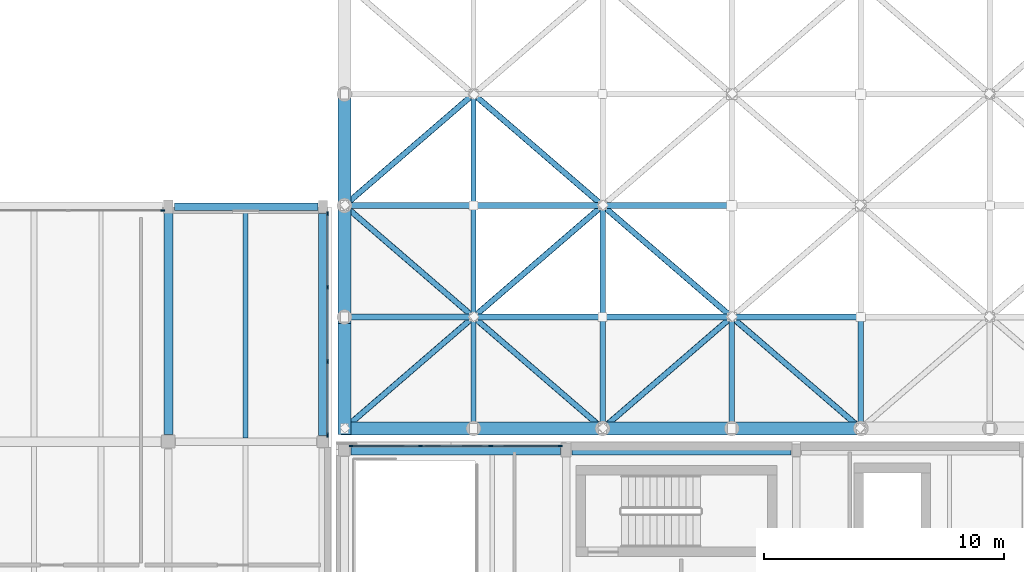
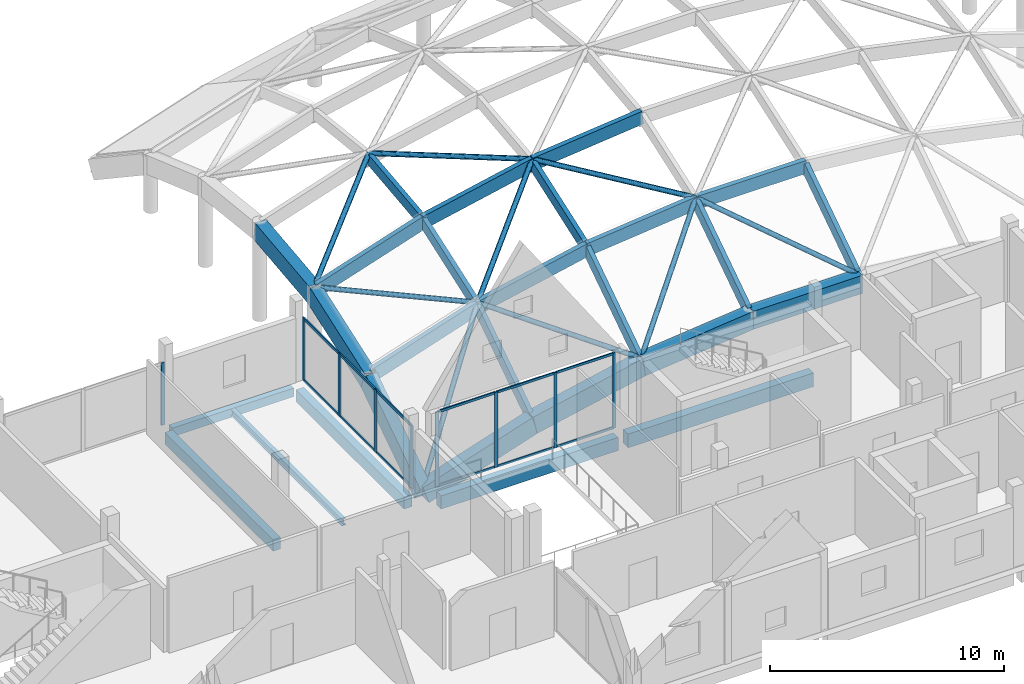
# One storey, part 8 of 41: 44 members, 13 beams, 3 elements without a shape of their own.
"""IFC4 building model written with IfcOpenShell, lengths in metres."""

import ifcopenshell
import ifcopenshell.guid

model = None  # the IFC model being written
_history = None  # IfcOwnerHistory: only IFC2X3 demands one
_inside = {}  # id of a spatial element -> (the spatial element, [elements in it])
_under = {}  # id of a project, library or spatial element -> (it, [spatial elements below it])
_declared = {}  # id of a project -> (the project, [libraries it declares])
_typed = {}  # id of a type object -> (the type object, [elements of that type])
_made_of = {}  # id of a material, layer set ... -> (it, [elements and type objects made of it])


def new_model(schema):
    """Start an empty IFC model of exactly this schema.

    Asked for "IFC4X3", IfcOpenShell would pick the latest addendum, in which some entities
    have other attributes; the version numbers below select the first issue.
    IFC2X3 requires an IfcOwnerHistory on every rooted entity: one is made here for all.
    """
    global model, _history
    if schema == "IFC4X3":
        model = ifcopenshell.file(schema_version=(4, 3, 0, 0))
    else:
        model = ifcopenshell.file(schema=schema)
    _inside.clear()
    _under.clear()
    _declared.clear()
    _typed.clear()
    _made_of.clear()
    _history = None
    if model.schema == "IFC2X3":
        org = make("IfcOrganization", Name="unknown")
        user = make(
            "IfcPersonAndOrganization",
            ThePerson=make("IfcPerson", FamilyName="unknown"),
            TheOrganization=org,
        )
        app = make(
            "IfcApplication",
            ApplicationDeveloper=org,
            Version="unknown",
            ApplicationFullName="unknown",
            ApplicationIdentifier="unknown",
        )
        _history = make(
            "IfcOwnerHistory",
            OwningUser=user,
            OwningApplication=app,
            ChangeAction="ADDED",
            CreationDate=0,
        )
    return model


def make(cls, **values):
    """One entity of the class cls with the attributes given. An attribute that is None is left unset."""
    return model.create_entity(
        cls, **{name: value for name, value in values.items() if value is not None}
    )


def rooted(cls, **values):
    """An entity with a GlobalId (a new one), such as an element, a storey or a relation."""
    return make(cls, GlobalId=ifcopenshell.guid.new(), OwnerHistory=_history, **values)


def si_unit(unit_type, name, prefix=None):
    """IfcSIUnit, for example si_unit("LENGTHUNIT", "METRE", prefix="MILLI")."""
    return make("IfcSIUnit", UnitType=unit_type, Prefix=prefix, Name=name)


def assignment(units):
    """IfcUnitAssignment: the units of a project."""
    return None if units is None else make("IfcUnitAssignment", Units=units)


def point(xyz):
    """IfcCartesianPoint."""
    return None if xyz is None else make("IfcCartesianPoint", Coordinates=xyz)


def direction(xyz):
    """IfcDirection."""
    return None if xyz is None else make("IfcDirection", DirectionRatios=xyz)


def frame(location, z_axis=None, x_axis=None):
    """IfcAxis2Placement3D, a coordinate frame: its origin and axes. An axis left out is left unset."""
    return make(
        "IfcAxis2Placement3D",
        Location=point(location),
        Axis=direction(z_axis),
        RefDirection=direction(x_axis),
    )


def frame_2d(location, x_axis=None):
    """IfcAxis2Placement2D, a coordinate frame in the plane: its origin and x axis."""
    return make(
        "IfcAxis2Placement2D", Location=point(location), RefDirection=direction(x_axis)
    )


def origin():
    """The frame at (0, 0, 0) with its axes left unset."""
    return frame((0.0, 0.0, 0.0))


def origin_2d():
    """The frame at (0, 0) in the plane with its x axis left unset."""
    return frame_2d((0.0, 0.0))


def place(relative_to, where):
    """IfcLocalPlacement: puts the frame where relative to a parent placement (None: the world)."""
    return make(
        "IfcLocalPlacement", PlacementRelTo=relative_to, RelativePlacement=where
    )


def context(
    kind, dimensions, precision=None, world=None, true_north=None, identifier=None
):
    """IfcGeometricRepresentationContext, for example the 3D "Model" context."""
    return make(
        "IfcGeometricRepresentationContext",
        ContextIdentifier=identifier,
        ContextType=kind,
        CoordinateSpaceDimension=dimensions,
        Precision=precision,
        WorldCoordinateSystem=world,
        TrueNorth=true_north,
    )


def subcontext(parent, identifier, kind, view, scale=None):
    """IfcGeometricRepresentationSubContext, for example "Body" below "Model"."""
    return make(
        "IfcGeometricRepresentationSubContext",
        ContextIdentifier=identifier,
        ContextType=kind,
        ParentContext=parent,
        TargetScale=scale,
        TargetView=view,
    )


def project(units=None, contexts=None):
    """IfcProject with its units and contexts."""
    return rooted(
        "IfcProject",
        Name="project",
        RepresentationContexts=contexts,
        UnitsInContext=assignment(units),
    )


def spatial(cls, under=None, at=None, **own):
    """A site, building, storey or space (cls), placed at a placement, below another one or the project."""
    s = rooted(cls, ObjectPlacement=at, **own)
    if under is not None:
        _under.setdefault(under.id(), (under, []))[1].append(s)
    return s


def profile(cls, at=None, kind="AREA", **sizes):
    """A parametric profile (cls). Its sizes go by their IFC names, for example OverallWidth=200.0."""
    return make(cls, ProfileType=kind, Position=at, **sizes)


def rectangle(**sizes):
    """IfcRectangleProfileDef."""
    return profile("IfcRectangleProfileDef", **sizes)


def hollow_circle(**sizes):
    """IfcCircleHollowProfileDef."""
    return profile("IfcCircleHollowProfileDef", **sizes)


def i_section(**sizes):
    """IfcIShapeProfileDef."""
    return profile("IfcIShapeProfileDef", **sizes)


def extrude(swept, where, along, depth):
    """IfcExtrudedAreaSolid: the profile swept, set in the frame where, extruded along a direction by depth."""
    return make(
        "IfcExtrudedAreaSolid",
        SweptArea=swept,
        Position=where,
        ExtrudedDirection=direction(along),
        Depth=depth,
    )


def shape(context_of_items, identifier, shape_type, items):
    """IfcShapeRepresentation: the items that make up one representation, for example the "Body"."""
    return make(
        "IfcShapeRepresentation",
        ContextOfItems=context_of_items,
        RepresentationIdentifier=identifier,
        RepresentationType=shape_type,
        Items=items,
    )


def material(Name=None, Category=None):
    """IfcMaterial."""
    return make("IfcMaterial", Name=Name, Category=Category)


def layer(
    of_material, thickness, ventilated=None, Name=None, Category=None, Priority=None
):
    """IfcMaterialLayer: one layer of a wall or slab, of a material (None: an air gap)."""
    return make(
        "IfcMaterialLayer",
        Material=of_material,
        LayerThickness=thickness,
        IsVentilated=ventilated,
        Name=Name,
        Category=Category,
        Priority=Priority,
    )


def layer_set(layers, Name=None):
    """IfcMaterialLayerSet."""
    return make("IfcMaterialLayerSet", MaterialLayers=layers, LayerSetName=Name)


def material_profile(
    of_material, cross_section, Name=None, Category=None, Priority=None
):
    """IfcMaterialProfile: a cross section and its material."""
    return make(
        "IfcMaterialProfile",
        Name=Name,
        Material=of_material,
        Profile=cross_section,
        Priority=Priority,
        Category=Category,
    )


def profile_set(profiles, Name=None, composite=None):
    """IfcMaterialProfileSet."""
    return make(
        "IfcMaterialProfileSet",
        Name=Name,
        MaterialProfiles=profiles,
        CompositeProfile=composite,
    )


def made_of(thing, what):
    """Note that an element or type object is made of a material, layer set ...; save() writes the relation."""
    if what is not None:
        _made_of.setdefault(what.id(), (what, []))[1].append(thing)
    return thing


def type_object(cls, material=None, **own):
    """A type object (cls), such as IfcWallType, which elements share."""
    return made_of(rooted(cls, **own), material)


def element(
    cls,
    number,
    at=None,
    inside=None,
    cuts=None,
    type_object=None,
    material=None,
    context=None,
    identifier="Body",
    shape_type=None,
    held_by="IfcProductDefinitionShape",
    body=None,
    shapes=None,
    **own,
):
    """One element of the class cls, such as IfcWall. Its Tag is "e" and its number.

    at: its placement. inside: the storey or other place that contains it. cuts: it is an
    opening in that element (IfcRelVoidsElement). A single representation is given by context,
    identifier, shape_type and body (its items); several are given by shapes. held_by: the class
    of the entity that holds the representations. save() writes the other relations.
    """
    e = rooted(cls, Tag="e%d" % number, ObjectPlacement=at, **own)
    if body is not None:
        shapes = [shape(context, identifier, shape_type, body)]
    if shapes is not None:
        e.Representation = make(held_by, Representations=shapes)
    if inside is not None:
        _inside.setdefault(inside.id(), (inside, []))[1].append(e)
    if cuts is not None:
        rooted(
            "IfcRelVoidsElement", RelatingBuildingElement=cuts, RelatedOpeningElement=e
        )
    if type_object is not None:
        _typed.setdefault(type_object.id(), (type_object, []))[1].append(e)
    return made_of(e, material)


def aggregate(whole, parts):
    """IfcRelAggregates: a whole, such as a stair, and the parts it consists of."""
    return rooted("IfcRelAggregates", RelatingObject=whole, RelatedObjects=parts)


def save(model, path):
    """Write the relations noted so far, then the file.

    IfcRelAggregates (storeys below a building ...), IfcRelContainedInSpatialStructure (elements
    in a storey), IfcRelDefinesByType, IfcRelAssociatesMaterial and IfcRelDeclares: one each for
    every whole, place, type object, material and project.
    """
    for whole, parts in _under.values():
        aggregate(whole, parts)
    for where, things in _inside.values():
        rooted(
            "IfcRelContainedInSpatialStructure",
            RelatedElements=things,
            RelatingStructure=where,
        )
    for kind, things in _typed.values():
        rooted("IfcRelDefinesByType", RelatedObjects=things, RelatingType=kind)
    for what, things in _made_of.values():
        rooted("IfcRelAssociatesMaterial", RelatedObjects=things, RelatingMaterial=what)
    for by, libraries in _declared.values():
        rooted("IfcRelDeclares", RelatingContext=by, RelatedDefinitions=libraries)
    model.write(path)


model = new_model("IFC4")

# Units and contexts
model_context = context("Model", 3, precision=1e-05, world=origin(), true_north=direction((0.0, 1.0)))
body_context = subcontext(model_context, "Body", "Model", "MODEL_VIEW")
ifc_project = project(units=[si_unit("LENGTHUNIT", "METRE"), si_unit("AREAUNIT", "SQUARE_METRE"), si_unit("VOLUMEUNIT", "CUBIC_METRE"), si_unit("PLANEANGLEUNIT", "RADIAN"), si_unit("MASSUNIT", "GRAM", prefix="KILO")], contexts=[model_context])

# Site, building, storey
site_placement = place(None, origin())
site = spatial("IfcSite", under=ifc_project, at=site_placement, CompositionType="ELEMENT")
building_placement = place(site_placement, origin())
building = spatial("IfcBuilding", under=site, at=building_placement, Name="Birchvale Park Specialist Clinic", CompositionType="ELEMENT")
storey_placement = place(building_placement, frame((0.0, 0.0, 9.60009765625)))
storey = spatial("IfcBuildingStorey", under=building, at=storey_placement, Name="L02", CompositionType="ELEMENT", Elevation=9.60009765625)

# Beams
ifc_material_1 = material(Name="Concrete C40/50", Category="concrete")
ifc_material_profile_1 = material_profile(ifc_material_1, rectangle(XDim=0.419921875, YDim=0.719970703125, at=origin_2d()), Name="RCB-420x720")
ifc_profile_set_1 = profile_set([ifc_material_profile_1], Name="Concrete C40/50")
beam_type_1 = type_object("IfcBeamType", Name="BM-EXT-BG3", PredefinedType="BEAM", material=ifc_profile_set_1)
beam_1_placement = place(storey_placement, frame((61.639892578125, 34.25, -0.64013671875), z_axis=(1.0, 0.0, 0.0), x_axis=(0.0, 1.0, 0.0)))
element("IfcBeam", 1, at=beam_1_placement, inside=storey, type_object=beam_type_1, Name="V4 L02 X girder 15", PredefinedType="BEAM", context=body_context, shape_type="SweptSolid", body=[
    extrude(rectangle(XDim=0.419921875, YDim=0.719970703125, at=origin_2d()), origin(), (0.0, 0.0, 1.0), 9.150146484375),
])
ifc_material_profile_2 = material_profile(ifc_material_1, rectangle(XDim=0.39990234375, YDim=0.68994140625, at=origin_2d()), Name="RCB-400x690")
ifc_profile_set_2 = profile_set([ifc_material_profile_2], Name="Concrete C40/50")
beam_type_2 = type_object("IfcBeamType", Name="BM-EXT-BG4", PredefinedType="BEAM", material=ifc_profile_set_2)
beam_2_placement = place(storey_placement, frame((52.4150390625, 34.25, -0.625), z_axis=(1.0, 0.0, 0.0), x_axis=(0.0, 1.0, 0.0)))
element("IfcBeam", 2, at=beam_2_placement, inside=storey, type_object=beam_type_2, Name="V4 L02 X girder 14", PredefinedType="BEAM", context=body_context, shape_type="SweptSolid", body=[
    extrude(rectangle(XDim=0.39990234375, YDim=0.68994140625, at=origin_2d()), origin(), (0.0, 0.0, 1.0), 8.744873046875),
])
ifc_material_profile_3 = material_profile(ifc_material_1, rectangle(XDim=0.3798828125, YDim=0.639892578125, at=origin_2d()), Name="RCB-380x640")
ifc_profile_set_3 = profile_set([ifc_material_profile_3], Name="Concrete C40/50")
beam_type_3 = type_object("IfcBeamType", Name="BM-EXT-BG5", PredefinedType="BEAM", material=ifc_profile_set_3)
beam_3_placement = place(storey_placement, frame((51.25, 34.864990234375, -0.670166015625), z_axis=(0.0, 1.0, 0.0), x_axis=(-1.0, 0.0, 0.0)))
element("IfcBeam", 3, at=beam_3_placement, inside=storey, type_object=beam_type_3, Name="V2 L02 Y girder 37", PredefinedType="BEAM", context=body_context, shape_type="SweptSolid", body=[
    extrude(rectangle(XDim=0.3798828125, YDim=0.639892578125, at=origin_2d()), origin(), (0.0, 0.0, 1.0), 9.2451171875),
])
ifc_material_profile_4 = material_profile(ifc_material_1, rectangle(XDim=0.550048828125, YDim=0.93994140625, at=origin_2d()), Name="RCB-550x940")
ifc_profile_set_4 = profile_set([ifc_material_profile_4], Name="Concrete C40/50")
beam_type_4 = type_object("IfcBeamType", Name="BM-EXT-RB1", PredefinedType="BEAM", material=ifc_profile_set_4)
beam_4_placement = place(storey_placement, frame((52.14990234375, 35.14990234375, -0.650146484375), z_axis=(0.950354284012, 0.0, 0.311169945304), x_axis=(0.0, 1.0, 0.0)))
element("IfcBeam", 4, at=beam_4_placement, inside=storey, type_object=beam_type_4, Name="V1 gridshell perimeter ring beam 1", PredefinedType="BEAM", context=body_context, shape_type="SweptSolid", body=[
    extrude(rectangle(XDim=0.550048828125, YDim=0.93994140625, at=origin_2d()), origin(), (0.0, 0.0, 1.0), 5.6669921875),
])
beam_5_placement = place(storey_placement, frame((57.53564453125, 35.14990234375, 1.11328125), z_axis=(0.978246670793, 0.0, 0.207445055574), x_axis=(0.0, 1.0, 0.0)))
element("IfcBeam", 5, at=beam_5_placement, inside=storey, type_object=beam_type_4, Name="V1 gridshell perimeter ring beam 2", PredefinedType="BEAM", context=body_context, shape_type="SweptSolid", body=[
    extrude(rectangle(XDim=0.550048828125, YDim=0.93994140625, at=origin_2d()), origin(), (0.0, 0.0, 1.0), 5.505615234375),
])
beam_6_placement = place(storey_placement, frame((62.92138671875, 35.14990234375, 2.25537109375), z_axis=(0.994608725176, 0.0, 0.103699005798), x_axis=(0.0, 1.0, 0.0)))
element("IfcBeam", 6, at=beam_6_placement, inside=storey, type_object=beam_type_4, Name="V1 gridshell perimeter ring beam 3", PredefinedType="BEAM", context=body_context, shape_type="SweptSolid", body=[
    extrude(rectangle(XDim=0.550048828125, YDim=0.93994140625, at=origin_2d()), origin(), (0.0, 0.0, 1.0), 5.4150390625),
])
beam_7_placement = place(storey_placement, frame((68.30712890625, 35.14990234375, 2.81689453125), z_axis=(1.0, 0.0, 0.0), x_axis=(0.0, 1.0, 0.0)))
element("IfcBeam", 7, at=beam_7_placement, inside=storey, type_object=beam_type_4, Name="V1 gridshell perimeter ring beam 4", PredefinedType="BEAM", context=body_context, shape_type="SweptSolid", body=[
    extrude(rectangle(XDim=0.550048828125, YDim=0.93994140625, at=origin_2d()), origin(), (0.0, 0.0, 1.0), 5.3857421875),
])
beam_8_placement = place(storey_placement, frame((52.14990234375, 35.14990234375, -0.650146484375), z_axis=(0.0, 0.831626868314, 0.555334810631), x_axis=(-1.0, 0.0, 0.0)))
element("IfcBeam", 8, at=beam_8_placement, inside=storey, type_object=beam_type_4, Name="V1 gridshell perimeter ring beam 15", PredefinedType="BEAM", context=body_context, shape_type="SweptSolid", body=[
    extrude(rectangle(XDim=0.550048828125, YDim=0.93994140625, at=origin_2d()), origin(), (0.0, 0.0, 1.0), 5.591552734375),
])
beam_9_placement = place(storey_placement, frame((52.14990234375, 39.800048828125, 2.455078125), z_axis=(0.0, 0.943085366196, 0.33255073608), x_axis=(-1.0, 0.0, 0.0)))
element("IfcBeam", 9, at=beam_9_placement, inside=storey, type_object=beam_type_4, Name="V1 gridshell perimeter ring beam 16", PredefinedType="BEAM", context=body_context, shape_type="SweptSolid", body=[
    extrude(rectangle(XDim=0.550048828125, YDim=0.93994140625, at=origin_2d()), origin(), (0.0, 0.0, 1.0), 4.930419921875),
])
beam_10_placement = place(storey_placement, frame((52.14990234375, 44.449951171875, 4.0947265625), z_axis=(0.0, 0.993845495823, 0.110775134543), x_axis=(-1.0, 0.0, 0.0)))
element("IfcBeam", 10, at=beam_10_placement, inside=storey, type_object=beam_type_4, Name="V1 gridshell perimeter ring beam 17", PredefinedType="BEAM", context=body_context, shape_type="SweptSolid", body=[
    extrude(rectangle(XDim=0.550048828125, YDim=0.93994140625, at=origin_2d()), origin(), (0.0, 0.0, 1.0), 4.678955078125),
])
ifc_material_profile_5 = material_profile(ifc_material_1, rectangle(XDim=0.3798828125, YDim=0.60009765625, at=origin_2d()), Name="RCB-380x600")
ifc_profile_set_5 = profile_set([ifc_material_profile_5], Name="Concrete C40/50")
beam_type_5 = type_object("IfcBeamType", Name="BM-INT-BG5", PredefinedType="BEAM", material=ifc_profile_set_5)
beam_11_placement = place(storey_placement, frame((44.800048828125, 34.89990234375, -0.650146484375), z_axis=(0.0, 1.0, 0.0), x_axis=(-1.0, 0.0, 0.0)))
element("IfcBeam", 11, at=beam_11_placement, inside=storey, type_object=beam_type_5, Name="V2 L02 Y girder 34", PredefinedType="BEAM", context=body_context, shape_type="SweptSolid", body=[
    extrude(rectangle(XDim=0.3798828125, YDim=0.60009765625, at=origin_2d()), origin(), (0.0, 0.0, 1.0), 9.25),
])
ifc_material_profile_6 = material_profile(ifc_material_1, rectangle(XDim=0.300048828125, YDim=0.449951171875, at=origin_2d()), Name="RCB-300x450")
ifc_profile_set_6 = profile_set([ifc_material_profile_6], Name="Concrete C40/50")
beam_type_6 = type_object("IfcBeamType", Name="BM-INT-BG8", PredefinedType="BEAM", material=ifc_profile_set_6)
beam_12_placement = place(storey_placement, frame((45.050048828125, 44.39990234375, -0.5751953125), z_axis=(1.0, 0.0, 0.0), x_axis=(0.0, 1.0, 0.0)))
element("IfcBeam", 12, at=beam_12_placement, inside=storey, type_object=beam_type_6, Name="V2 L02 X girder 20", PredefinedType="BEAM", context=body_context, shape_type="SweptSolid", body=[
    extrude(rectangle(XDim=0.300048828125, YDim=0.449951171875, at=origin_2d()), origin(), (0.0, 0.0, 1.0), 5.989990234375),
])

# Curtain wall, members
ifc_material_2 = material(Name="Thermally broken anodised aluminium", Category="aluminium")
ifc_layer_1 = layer(ifc_material_2, 0.179931640625)
ifc_layer_set_1 = layer_set([ifc_layer_1], Name="Thermally broken anodised aluminium")
curtain_wall_type_1 = type_object("IfcCurtainWallType", Name="CW-U1", PredefinedType="USERDEFINED", material=ifc_layer_set_1)
curtain_wall_1_placement = place(storey_placement, origin())
curtain_wall_1 = element("IfcCurtainWall", 13, at=curtain_wall_1_placement, inside=storey, type_object=curtain_wall_type_1, Name="V4 L02 glazed curtain wall 111", ObjectType="UNITISED", PredefinedType="USERDEFINED")
ifc_material_profile_7 = material_profile(ifc_material_2, rectangle(XDim=0.06005859375, YDim=0.159912109375, at=origin_2d()), Name="CWM-60x160")
ifc_profile_set_7 = profile_set([ifc_material_profile_7], Name="Thermally broken anodised aluminium")
member_type_1 = type_object("IfcMemberType", Name="CWM1", PredefinedType="MULLION", material=ifc_profile_set_7)
member_1_placement = place(storey_placement, frame((61.159912109375, 34.409912109375, 0.0), z_axis=(0.0, 0.0, 1.0), x_axis=(0.0, -1.0, 0.0)))
member_1 = element("IfcMember", 14, at=member_1_placement, type_object=member_type_1, Name="CW mullion 1", PredefinedType="MULLION", context=body_context, shape_type="SweptSolid", body=[
    extrude(rectangle(XDim=0.06005859375, YDim=0.159912109375, at=origin_2d()), origin(), (0.0, 0.0, 1.0), 3.919921875),
])
member_2_placement = place(storey_placement, frame((58.256591796875, 34.409912109375, 0.0), z_axis=(0.0, 0.0, 1.0), x_axis=(0.0, -1.0, 0.0)))
member_2 = element("IfcMember", 15, at=member_2_placement, type_object=member_type_1, Name="CW mullion 2", PredefinedType="MULLION", context=body_context, shape_type="SweptSolid", body=[
    extrude(rectangle(XDim=0.06005859375, YDim=0.159912109375, at=origin_2d()), origin(), (0.0, 0.0, 1.0), 3.919921875),
])
member_3_placement = place(storey_placement, frame((55.3232421875, 34.409912109375, 0.0), z_axis=(0.0, 0.0, 1.0), x_axis=(0.0, -1.0, 0.0)))
member_3 = element("IfcMember", 16, at=member_3_placement, type_object=member_type_1, Name="CW mullion 3", PredefinedType="MULLION", context=body_context, shape_type="SweptSolid", body=[
    extrude(rectangle(XDim=0.06005859375, YDim=0.159912109375, at=origin_2d()), origin(), (0.0, 0.0, 1.0), 3.919921875),
])
member_4_placement = place(storey_placement, frame((52.419921875, 34.409912109375, 0.0), z_axis=(0.0, 0.0, 1.0), x_axis=(0.0, -1.0, 0.0)))
member_4 = element("IfcMember", 17, at=member_4_placement, type_object=member_type_1, Name="CW mullion 4", PredefinedType="MULLION", context=body_context, shape_type="SweptSolid", body=[
    extrude(rectangle(XDim=0.06005859375, YDim=0.159912109375, at=origin_2d()), origin(), (0.0, 0.0, 1.0), 3.919921875),
])

ifc_layer_2 = layer(ifc_material_2, 0.195068359375)
ifc_layer_set_2 = layer_set([ifc_layer_2], Name="Thermally broken anodised aluminium")
curtain_wall_type_2 = type_object("IfcCurtainWallType", Name="CW-U2", PredefinedType="USERDEFINED", material=ifc_layer_set_2)
curtain_wall_2_placement = place(storey_placement, origin())
curtain_wall_2 = element("IfcCurtainWall", 18, at=curtain_wall_2_placement, inside=storey, type_object=curtain_wall_type_2, Name="V2 L02 glazed curtain wall 104", ObjectType="UNITISED", PredefinedType="USERDEFINED")
ifc_material_profile_8 = material_profile(ifc_material_2, rectangle(XDim=0.06494140625, YDim=0.179931640625, at=origin_2d()), Name="CWM-65x180")
ifc_profile_set_8 = profile_set([ifc_material_profile_8], Name="Thermally broken anodised aluminium")
member_type_2 = type_object("IfcMemberType", Name="CWM2", PredefinedType="MULLION", material=ifc_profile_set_8)
member_5_placement = place(storey_placement, frame((51.445068359375, 34.87255859375, 0.0), z_axis=(0.0, 0.0, 1.0), x_axis=(-1.0, 0.0, 0.0)))
member_5 = element("IfcMember", 19, at=member_5_placement, type_object=member_type_2, Name="CW mullion 1", PredefinedType="MULLION", context=body_context, shape_type="SweptSolid", body=[
    extrude(rectangle(XDim=0.06494140625, YDim=0.179931640625, at=origin_2d()), origin(), (0.0, 0.0, 1.0), 3.27001953125),
])
member_6_placement = place(storey_placement, frame((51.445068359375, 37.93994140625, 0.0), z_axis=(0.0, 0.0, 1.0), x_axis=(-1.0, 0.0, 0.0)))
member_6 = element("IfcMember", 20, at=member_6_placement, type_object=member_type_2, Name="CW mullion 2", PredefinedType="MULLION", context=body_context, shape_type="SweptSolid", body=[
    extrude(rectangle(XDim=0.06494140625, YDim=0.179931640625, at=origin_2d()), origin(), (0.0, 0.0, 1.0), 3.27001953125),
])
member_7_placement = place(storey_placement, frame((51.445068359375, 41.0400390625, 0.0), z_axis=(0.0, 0.0, 1.0), x_axis=(-1.0, 0.0, 0.0)))
member_7 = element("IfcMember", 21, at=member_7_placement, type_object=member_type_2, Name="CW mullion 3", PredefinedType="MULLION", context=body_context, shape_type="SweptSolid", body=[
    extrude(rectangle(XDim=0.06494140625, YDim=0.179931640625, at=origin_2d()), origin(), (0.0, 0.0, 1.0), 3.27001953125),
])
member_8_placement = place(storey_placement, frame((51.445068359375, 44.107421875, 0.0), z_axis=(0.0, 0.0, 1.0), x_axis=(-1.0, 0.0, 0.0)))
member_8 = element("IfcMember", 22, at=member_8_placement, type_object=member_type_2, Name="CW mullion 4", PredefinedType="MULLION", context=body_context, shape_type="SweptSolid", body=[
    extrude(rectangle(XDim=0.06494140625, YDim=0.179931640625, at=origin_2d()), origin(), (0.0, 0.0, 1.0), 3.27001953125),
])

# Curtain wall, member
curtain_wall_3_placement = place(storey_placement, origin())
curtain_wall_3 = element("IfcCurtainWall", 23, at=curtain_wall_3_placement, inside=storey, type_object=curtain_wall_type_2, Name="V2 L02 glazed curtain wall 105", ObjectType="UNITISED", PredefinedType="USERDEFINED")
member_9_placement = place(storey_placement, frame((44.5673828125, 44.2451171875, 0.0), z_axis=(0.0, 0.0, 1.0), x_axis=(0.0, -1.0, 0.0)))
member_9 = element("IfcMember", 24, at=member_9_placement, type_object=member_type_2, Name="CW mullion 1", PredefinedType="MULLION", context=body_context, shape_type="SweptSolid", body=[
    extrude(rectangle(XDim=0.06494140625, YDim=0.179931640625, at=origin_2d()), origin(), (0.0, 0.0, 1.0), 3.260009765625),
])
aggregate(curtain_wall_3, [member_9])

# Member
ifc_material_profile_9 = material_profile(ifc_material_2, rectangle(XDim=0.06005859375, YDim=0.1201171875, at=origin_2d()), Name="CWT-60x120")
ifc_profile_set_9 = profile_set([ifc_material_profile_9], Name="Thermally broken anodised aluminium")
member_type_3 = type_object("IfcMemberType", Name="CWT1", PredefinedType="USERDEFINED", material=ifc_profile_set_9)
member_10_placement = place(storey_placement, frame((61.1298828125, 34.409912109375, 0.02978515625), z_axis=(-1.0, 0.0, 0.0), x_axis=(0.0, -1.0, 0.0)))
member_10 = element("IfcMember", 25, at=member_10_placement, type_object=member_type_3, Name="CW transom 1.1", ObjectType="TRANSOM", PredefinedType="USERDEFINED", context=body_context, shape_type="SweptSolid", body=[
    extrude(rectangle(XDim=0.06005859375, YDim=0.1201171875, at=origin_2d()), origin(), (0.0, 0.0, 1.0), 2.84326171875),
])

member_11_placement = place(storey_placement, frame((61.1298828125, 34.409912109375, 3.889892578125), z_axis=(-1.0, 0.0, 0.0), x_axis=(0.0, -1.0, 0.0)))
member_11 = element("IfcMember", 26, at=member_11_placement, type_object=member_type_3, Name="CW transom 1.2", ObjectType="TRANSOM", PredefinedType="USERDEFINED", context=body_context, shape_type="SweptSolid", body=[
    extrude(rectangle(XDim=0.06005859375, YDim=0.1201171875, at=origin_2d()), origin(), (0.0, 0.0, 1.0), 2.84326171875),
])

member_12_placement = place(storey_placement, frame((58.2265625, 34.409912109375, 0.02978515625), z_axis=(-1.0, 0.0, 0.0), x_axis=(0.0, -1.0, 0.0)))
member_12 = element("IfcMember", 27, at=member_12_placement, type_object=member_type_3, Name="CW transom 2.1", ObjectType="TRANSOM", PredefinedType="USERDEFINED", context=body_context, shape_type="SweptSolid", body=[
    extrude(rectangle(XDim=0.06005859375, YDim=0.1201171875, at=origin_2d()), origin(), (0.0, 0.0, 1.0), 2.873291015625),
])

member_13_placement = place(storey_placement, frame((58.2265625, 34.409912109375, 3.889892578125), z_axis=(-1.0, 0.0, 0.0), x_axis=(0.0, -1.0, 0.0)))
member_13 = element("IfcMember", 28, at=member_13_placement, type_object=member_type_3, Name="CW transom 2.2", ObjectType="TRANSOM", PredefinedType="USERDEFINED", context=body_context, shape_type="SweptSolid", body=[
    extrude(rectangle(XDim=0.06005859375, YDim=0.1201171875, at=origin_2d()), origin(), (0.0, 0.0, 1.0), 2.873291015625),
])

member_14_placement = place(storey_placement, frame((55.293212890625, 34.409912109375, 0.02978515625), z_axis=(-1.0, 0.0, 0.0), x_axis=(0.0, -1.0, 0.0)))
member_14 = element("IfcMember", 29, at=member_14_placement, type_object=member_type_3, Name="CW transom 3.1", ObjectType="TRANSOM", PredefinedType="USERDEFINED", context=body_context, shape_type="SweptSolid", body=[
    extrude(rectangle(XDim=0.06005859375, YDim=0.1201171875, at=origin_2d()), origin(), (0.0, 0.0, 1.0), 2.84326171875),
])

member_15_placement = place(storey_placement, frame((55.293212890625, 34.409912109375, 3.889892578125), z_axis=(-1.0, 0.0, 0.0), x_axis=(0.0, -1.0, 0.0)))
member_15 = element("IfcMember", 30, at=member_15_placement, type_object=member_type_3, Name="CW transom 3.2", ObjectType="TRANSOM", PredefinedType="USERDEFINED", context=body_context, shape_type="SweptSolid", body=[
    extrude(rectangle(XDim=0.06005859375, YDim=0.1201171875, at=origin_2d()), origin(), (0.0, 0.0, 1.0), 2.84326171875),
])

aggregate(curtain_wall_1, [member_1, member_2, member_3, member_4, member_10, member_11, member_12, member_13, member_14, member_15])

ifc_material_profile_10 = material_profile(ifc_material_2, rectangle(XDim=0.06494140625, YDim=0.139892578125, at=origin_2d()), Name="CWT-65x140")
ifc_profile_set_10 = profile_set([ifc_material_profile_10], Name="Thermally broken anodised aluminium")
member_type_4 = type_object("IfcMemberType", Name="CWT2", PredefinedType="USERDEFINED", material=ifc_profile_set_10)
member_16_placement = place(storey_placement, frame((51.445068359375, 34.905029296875, 0.032470703125), z_axis=(0.0, 1.0, 0.0), x_axis=(-1.0, 0.0, 0.0)))
member_16 = element("IfcMember", 31, at=member_16_placement, type_object=member_type_4, Name="CW transom 1.1", ObjectType="TRANSOM", PredefinedType="USERDEFINED", context=body_context, shape_type="SweptSolid", body=[
    extrude(rectangle(XDim=0.06494140625, YDim=0.139892578125, at=origin_2d()), origin(), (0.0, 0.0, 1.0), 3.00244140625),
])

member_17_placement = place(storey_placement, frame((51.445068359375, 34.905029296875, 3.2373046875), z_axis=(0.0, 1.0, 0.0), x_axis=(-1.0, 0.0, 0.0)))
member_17 = element("IfcMember", 32, at=member_17_placement, type_object=member_type_4, Name="CW transom 1.2", ObjectType="TRANSOM", PredefinedType="USERDEFINED", context=body_context, shape_type="SweptSolid", body=[
    extrude(rectangle(XDim=0.06494140625, YDim=0.139892578125, at=origin_2d()), origin(), (0.0, 0.0, 1.0), 3.00244140625),
])

member_18_placement = place(storey_placement, frame((51.445068359375, 37.972412109375, 0.032470703125), z_axis=(0.0, 1.0, 0.0), x_axis=(-1.0, 0.0, 0.0)))
member_18 = element("IfcMember", 33, at=member_18_placement, type_object=member_type_4, Name="CW transom 2.1", ObjectType="TRANSOM", PredefinedType="USERDEFINED", context=body_context, shape_type="SweptSolid", body=[
    extrude(rectangle(XDim=0.06494140625, YDim=0.139892578125, at=origin_2d()), origin(), (0.0, 0.0, 1.0), 3.03515625),
])

member_19_placement = place(storey_placement, frame((51.445068359375, 37.972412109375, 3.2373046875), z_axis=(0.0, 1.0, 0.0), x_axis=(-1.0, 0.0, 0.0)))
member_19 = element("IfcMember", 34, at=member_19_placement, type_object=member_type_4, Name="CW transom 2.2", ObjectType="TRANSOM", PredefinedType="USERDEFINED", context=body_context, shape_type="SweptSolid", body=[
    extrude(rectangle(XDim=0.06494140625, YDim=0.139892578125, at=origin_2d()), origin(), (0.0, 0.0, 1.0), 3.03515625),
])

member_20_placement = place(storey_placement, frame((51.445068359375, 41.072509765625, 0.032470703125), z_axis=(0.0, 1.0, 0.0), x_axis=(-1.0, 0.0, 0.0)))
member_20 = element("IfcMember", 35, at=member_20_placement, type_object=member_type_4, Name="CW transom 3.1", ObjectType="TRANSOM", PredefinedType="USERDEFINED", context=body_context, shape_type="SweptSolid", body=[
    extrude(rectangle(XDim=0.06494140625, YDim=0.139892578125, at=origin_2d()), origin(), (0.0, 0.0, 1.0), 3.00244140625),
])

member_21_placement = place(storey_placement, frame((51.445068359375, 41.072509765625, 3.2373046875), z_axis=(0.0, 1.0, 0.0), x_axis=(-1.0, 0.0, 0.0)))
member_21 = element("IfcMember", 36, at=member_21_placement, type_object=member_type_4, Name="CW transom 3.2", ObjectType="TRANSOM", PredefinedType="USERDEFINED", context=body_context, shape_type="SweptSolid", body=[
    extrude(rectangle(XDim=0.06494140625, YDim=0.139892578125, at=origin_2d()), origin(), (0.0, 0.0, 1.0), 3.00244140625),
])

aggregate(curtain_wall_2, [member_5, member_6, member_7, member_8, member_16, member_17, member_18, member_19, member_20, member_21])

# Members
ifc_material_3 = material(Name="Steel EN 10210 S355", Category="steel")
ifc_material_profile_11 = material_profile(ifc_material_3, hollow_circle(Radius=0.122314453125, WallThickness=0.010009765625, at=origin_2d()), Name="CHS244.5X10")
ifc_profile_set_11 = profile_set([ifc_material_profile_11], Name="Steel EN 10210 S355")
member_type_5 = type_object("IfcMemberType", Name="MEM-BR1", PredefinedType="BRACE", material=ifc_profile_set_11)
member_22_placement = place(storey_placement, frame((52.177978515625, 35.17431640625, -0.306884765625), z_axis=(0.62468673263, 0.539325279426, 0.564707649185), x_axis=(-0.653497087774, 0.756929029877, 0.0)))
element("IfcMember", 37, at=member_22_placement, inside=storey, type_object=member_type_5, Name="V1 gridshell tubular steel diagonal 1", PredefinedType="BRACE", context=body_context, shape_type="SweptSolid", body=[
    extrude(hollow_circle(Radius=0.122314453125, WallThickness=0.010009765625, at=origin_2d()), origin(), (0.0, 0.0, 1.0), 8.53173828125),
])
member_23_placement = place(storey_placement, frame((57.501708984375, 39.829345703125, 4.535400390625), z_axis=(-0.756792378331, 0.653424428029, -0.017372764757), x_axis=(-0.653523056334, -0.756906609061, 0.0)))
element("IfcMember", 38, at=member_23_placement, inside=storey, type_object=member_type_5, Name="V1 gridshell tubular steel diagonal 2", PredefinedType="BRACE", context=body_context, shape_type="SweptSolid", body=[
    extrude(hollow_circle(Radius=0.122314453125, WallThickness=0.010009765625, at=origin_2d()), origin(), (0.0, 0.0, 1.0), 7.026611328125),
])
member_24_placement = place(storey_placement, frame((52.182373046875, 44.47802734375, 4.42626953125), z_axis=(0.720776611101, 0.622291970226, 0.305342071589), x_axis=(-0.653501412791, 0.756925295838, 0.0)))
element("IfcMember", 39, at=member_24_placement, inside=storey, type_object=member_type_5, Name="V1 gridshell tubular steel diagonal 3", PredefinedType="BRACE", context=body_context, shape_type="SweptSolid", body=[
    extrude(hollow_circle(Radius=0.122314453125, WallThickness=0.010009765625, at=origin_2d()), origin(), (0.0, 0.0, 1.0), 7.38232421875),
])
member_25_placement = place(storey_placement, frame((62.888671875, 35.17822265625, 2.585205078125), z_axis=(-0.729639895073, 0.629992869799, 0.265959785534), x_axis=(-0.653530336987, -0.756900322789, 0.0)))
element("IfcMember", 40, at=member_25_placement, inside=storey, type_object=member_type_5, Name="V1 gridshell tubular steel diagonal 7", PredefinedType="BRACE", context=body_context, shape_type="SweptSolid", body=[
    extrude(hollow_circle(Radius=0.122314453125, WallThickness=0.010009765625, at=origin_2d()), origin(), (0.0, 0.0, 1.0), 7.291259765625),
])
member_26_placement = place(storey_placement, frame((57.5673828125, 39.827392578125, 4.552734375), z_axis=(0.704961825473, 0.608660159589, 0.364090146468), x_axis=(-0.65351500313, 0.756913562227, 0.0)))
element("IfcMember", 41, at=member_26_placement, inside=storey, type_object=member_type_5, Name="V1 gridshell tubular steel diagonal 8", PredefinedType="BRACE", context=body_context, shape_type="SweptSolid", body=[
    extrude(hollow_circle(Radius=0.122314453125, WallThickness=0.010009765625, at=origin_2d()), origin(), (0.0, 0.0, 1.0), 7.5498046875),
])
member_27_placement = place(storey_placement, frame((62.887451171875, 44.479248046875, 7.31396484375), z_axis=(-0.754012003379, 0.651028544098, -0.087336896728), x_axis=(-0.653525775503, -0.756904261286, 0.0)))
element("IfcMember", 42, at=member_27_placement, inside=storey, type_object=member_type_5, Name="V1 gridshell tubular steel diagonal 9", PredefinedType="BRACE", context=body_context, shape_type="SweptSolid", body=[
    extrude(hollow_circle(Radius=0.122314453125, WallThickness=0.010009765625, at=origin_2d()), origin(), (0.0, 0.0, 1.0), 7.052734375),
])
member_28_placement = place(storey_placement, frame((62.95166015625, 35.176025390625, 2.59375), z_axis=(0.672822951485, 0.580931351794, 0.458069907829), x_axis=(-0.653527712253, 0.756902589054, 0.0)))
element("IfcMember", 43, at=member_28_placement, inside=storey, type_object=member_type_5, Name="V1 gridshell tubular steel diagonal 13", PredefinedType="BRACE", context=body_context, shape_type="SweptSolid", body=[
    extrude(hollow_circle(Radius=0.122314453125, WallThickness=0.010009765625, at=origin_2d()), origin(), (0.0, 0.0, 1.0), 7.914794921875),
])
member_29_placement = place(storey_placement, frame((68.2734375, 39.8291015625, 6.24658203125), z_axis=(-0.748373763023, 0.646135408324, 0.149819040605), x_axis=(-0.653511306654, -0.756916753729, 0.0)))
element("IfcMember", 44, at=member_29_placement, inside=storey, type_object=member_type_5, Name="V1 gridshell tubular steel diagonal 14", PredefinedType="BRACE", context=body_context, shape_type="SweptSolid", body=[
    extrude(hollow_circle(Radius=0.122314453125, WallThickness=0.010009765625, at=origin_2d()), origin(), (0.0, 0.0, 1.0), 7.1064453125),
])
member_30_placement = place(storey_placement, frame((73.66162109375, 35.177001953125, 3.152587890625), z_axis=(-0.693730233305, 0.598948433405, 0.3999989219), x_axis=(-0.653505981992, -0.756921350935, 0.0)))
element("IfcMember", 45, at=member_30_placement, inside=storey, type_object=member_type_5, Name="V1 gridshell tubular steel diagonal 19", PredefinedType="BRACE", context=body_context, shape_type="SweptSolid", body=[
    extrude(hollow_circle(Radius=0.122314453125, WallThickness=0.010009765625, at=origin_2d()), origin(), (0.0, 0.0, 1.0), 7.67333984375),
])
ifc_material_4 = material(Name="Glulam GL28h", Category="wood")
ifc_material_profile_12 = material_profile(ifc_material_4, rectangle(XDim=0.239990234375, YDim=0.679931640625, at=origin_2d()), Name="GL-240x680")
ifc_profile_set_12 = profile_set([ifc_material_profile_12], Name="Glulam GL28h")
member_type_6 = type_object("IfcMemberType", Name="MEM-GC1", PredefinedType="CHORD", material=ifc_profile_set_12)
member_31_placement = place(storey_placement, frame((52.14990234375, 39.800048828125, 2.56005859375), z_axis=(0.950354284012, 0.0, 0.311169945304), x_axis=(0.0, 1.0, 0.0)))
element("IfcMember", 46, at=member_31_placement, inside=storey, type_object=member_type_6, Name="V1 gridshell longitudinal glulam rib 1", PredefinedType="CHORD", context=body_context, shape_type="SweptSolid", body=[
    extrude(rectangle(XDim=0.239990234375, YDim=0.679931640625, at=origin_2d()), origin(), (0.0, 0.0, 1.0), 5.6669921875),
])
member_32_placement = place(storey_placement, frame((57.53564453125, 39.800048828125, 4.323486328125), z_axis=(0.978246670793, 0.0, 0.207445055574), x_axis=(0.0, 1.0, 0.0)))
element("IfcMember", 47, at=member_32_placement, inside=storey, type_object=member_type_6, Name="V1 gridshell longitudinal glulam rib 2", PredefinedType="CHORD", context=body_context, shape_type="SweptSolid", body=[
    extrude(rectangle(XDim=0.239990234375, YDim=0.679931640625, at=origin_2d()), origin(), (0.0, 0.0, 1.0), 5.505615234375),
])
member_33_placement = place(storey_placement, frame((62.92138671875, 39.800048828125, 5.465576171875), z_axis=(0.994608725176, 0.0, 0.103699005798), x_axis=(0.0, 1.0, 0.0)))
element("IfcMember", 48, at=member_33_placement, inside=storey, type_object=member_type_6, Name="V1 gridshell longitudinal glulam rib 3", PredefinedType="CHORD", context=body_context, shape_type="SweptSolid", body=[
    extrude(rectangle(XDim=0.239990234375, YDim=0.679931640625, at=origin_2d()), origin(), (0.0, 0.0, 1.0), 5.4150390625),
])
member_34_placement = place(storey_placement, frame((68.30712890625, 39.800048828125, 6.027099609375), z_axis=(1.0, 0.0, 0.0), x_axis=(0.0, 1.0, 0.0)))
element("IfcMember", 49, at=member_34_placement, inside=storey, type_object=member_type_6, Name="V1 gridshell longitudinal glulam rib 4", PredefinedType="CHORD", context=body_context, shape_type="SweptSolid", body=[
    extrude(rectangle(XDim=0.239990234375, YDim=0.679931640625, at=origin_2d()), origin(), (0.0, 0.0, 1.0), 5.3857421875),
])
member_35_placement = place(storey_placement, frame((52.14990234375, 44.449951171875, 4.19970703125), z_axis=(0.950354284012, 0.0, 0.311169945304), x_axis=(0.0, 1.0, 0.0)))
element("IfcMember", 50, at=member_35_placement, inside=storey, type_object=member_type_6, Name="V1 gridshell longitudinal glulam rib 8", PredefinedType="CHORD", context=body_context, shape_type="SweptSolid", body=[
    extrude(rectangle(XDim=0.239990234375, YDim=0.679931640625, at=origin_2d()), origin(), (0.0, 0.0, 1.0), 5.6669921875),
])
member_36_placement = place(storey_placement, frame((57.53564453125, 44.449951171875, 5.963134765625), z_axis=(0.978246670793, 0.0, 0.207445055574), x_axis=(0.0, 1.0, 0.0)))
element("IfcMember", 51, at=member_36_placement, inside=storey, type_object=member_type_6, Name="V1 gridshell longitudinal glulam rib 9", PredefinedType="CHORD", context=body_context, shape_type="SweptSolid", body=[
    extrude(rectangle(XDim=0.239990234375, YDim=0.679931640625, at=origin_2d()), origin(), (0.0, 0.0, 1.0), 5.505615234375),
])
member_37_placement = place(storey_placement, frame((62.92138671875, 44.449951171875, 7.105224609375), z_axis=(0.994608725176, 0.0, 0.103699005798), x_axis=(0.0, 1.0, 0.0)))
element("IfcMember", 52, at=member_37_placement, inside=storey, type_object=member_type_6, Name="V1 gridshell longitudinal glulam rib 10", PredefinedType="CHORD", context=body_context, shape_type="SweptSolid", body=[
    extrude(rectangle(XDim=0.239990234375, YDim=0.679931640625, at=origin_2d()), origin(), (0.0, 0.0, 1.0), 5.4150390625),
])
ifc_material_profile_13 = material_profile(ifc_material_4, rectangle(XDim=0.219970703125, YDim=0.56005859375, at=origin_2d()), Name="GL-220x560")
ifc_profile_set_13 = profile_set([ifc_material_profile_13], Name="Glulam GL28h")
member_type_7 = type_object("IfcMemberType", Name="MEM-GC2", PredefinedType="CHORD", material=ifc_profile_set_13)
member_38_placement = place(storey_placement, frame((57.53564453125, 35.14990234375, 1.218505859375), z_axis=(0.0, 0.831647032656, 0.555304612869), x_axis=(-1.0, 0.0, 0.0)))
element("IfcMember", 53, at=member_38_placement, inside=storey, type_object=member_type_7, Name="V1 gridshell transverse glulam rib 36", PredefinedType="CHORD", context=body_context, shape_type="SweptSolid", body=[
    extrude(rectangle(XDim=0.219970703125, YDim=0.56005859375, at=origin_2d()), origin(), (0.0, 0.0, 1.0), 5.591552734375),
])
member_39_placement = place(storey_placement, frame((57.53564453125, 39.800048828125, 4.323486328125), z_axis=(0.0, 0.943085366196, 0.33255073608), x_axis=(-1.0, 0.0, 0.0)))
element("IfcMember", 54, at=member_39_placement, inside=storey, type_object=member_type_7, Name="V1 gridshell transverse glulam rib 37", PredefinedType="CHORD", context=body_context, shape_type="SweptSolid", body=[
    extrude(rectangle(XDim=0.219970703125, YDim=0.56005859375, at=origin_2d()), origin(), (0.0, 0.0, 1.0), 4.930419921875),
])
member_40_placement = place(storey_placement, frame((57.53564453125, 44.449951171875, 5.963134765625), z_axis=(0.0, 0.993845495823, 0.110775134543), x_axis=(-1.0, 0.0, 0.0)))
element("IfcMember", 55, at=member_40_placement, inside=storey, type_object=member_type_7, Name="V1 gridshell transverse glulam rib 38", PredefinedType="CHORD", context=body_context, shape_type="SweptSolid", body=[
    extrude(rectangle(XDim=0.219970703125, YDim=0.56005859375, at=origin_2d()), origin(), (0.0, 0.0, 1.0), 4.678955078125),
])
member_41_placement = place(storey_placement, frame((62.92138671875, 35.14990234375, 2.3603515625), z_axis=(0.0, 0.831626868314, 0.555334810631), x_axis=(-1.0, 0.0, 0.0)))
element("IfcMember", 56, at=member_41_placement, inside=storey, type_object=member_type_7, Name="V1 gridshell transverse glulam rib 42", PredefinedType="CHORD", context=body_context, shape_type="SweptSolid", body=[
    extrude(rectangle(XDim=0.219970703125, YDim=0.56005859375, at=origin_2d()), origin(), (0.0, 0.0, 1.0), 5.591552734375),
])
member_42_placement = place(storey_placement, frame((62.92138671875, 39.800048828125, 5.465576171875), z_axis=(0.0, 0.943085366196, 0.33255073608), x_axis=(-1.0, 0.0, 0.0)))
element("IfcMember", 57, at=member_42_placement, inside=storey, type_object=member_type_7, Name="V1 gridshell transverse glulam rib 43", PredefinedType="CHORD", context=body_context, shape_type="SweptSolid", body=[
    extrude(rectangle(XDim=0.219970703125, YDim=0.56005859375, at=origin_2d()), origin(), (0.0, 0.0, 1.0), 4.930419921875),
])
for number, where, z_axis, x_axis, name in (
    (58, (68.30712890625, 35.14990234375, 2.922119140625), (0.0, 0.831647032656, 0.555304612869), (-1.0, 0.0, 0.0), "V1 gridshell transverse glulam rib 48"),
    (59, (73.69287109375, 35.14990234375, 2.922119140625), (0.0, 0.831647032656, 0.555304612869), (-1.0, 0.0, 0.0), "V1 gridshell transverse glulam rib 54"),
):
    element("IfcMember", number, at=place(storey_placement, frame(where, z_axis=z_axis, x_axis=x_axis)), inside=storey, type_object=member_type_7, Name=name, PredefinedType="CHORD", context=body_context, shape_type="SweptSolid", body=[
        extrude(rectangle(XDim=0.219970703125, YDim=0.56005859375, at=origin_2d()), origin(), (0.0, 0.0, 1.0), 5.591552734375),
    ])

# Beam
ifc_material_5 = material(Name="Steel ASTM A992 Grade 50", Category="steel")
ifc_material_profile_14 = material_profile(ifc_material_5, i_section(OverallWidth=0.2041015625, OverallDepth=0.35107421875, WebThickness=0.008544921875, FlangeThickness=0.01513671875, at=origin_2d()), Name="W14X48")
ifc_profile_set_14 = profile_set([ifc_material_profile_14], Name="Steel ASTM A992 Grade 50")
beam_type_7 = type_object("IfcBeamType", Name="STL-INT-SJ1", PredefinedType="JOIST", material=ifc_profile_set_14)
beam_13_placement = place(storey_placement, frame((48.02490234375, 34.75, -0.525634765625), z_axis=(0.0, 1.0, 0.0), x_axis=(-1.0, 0.0, 0.0)))
element("IfcBeam", 60, at=beam_13_placement, inside=storey, type_object=beam_type_7, Name="V2 L02 secondary floor joist 21", PredefinedType="JOIST", context=body_context, shape_type="SweptSolid", body=[
    extrude(i_section(OverallWidth=0.2041015625, OverallDepth=0.35107421875, WebThickness=0.008544921875, FlangeThickness=0.01513671875, at=origin_2d()), origin(), (0.0, 0.0, 1.0), 9.5),
])

save(model, "model.ifc")
